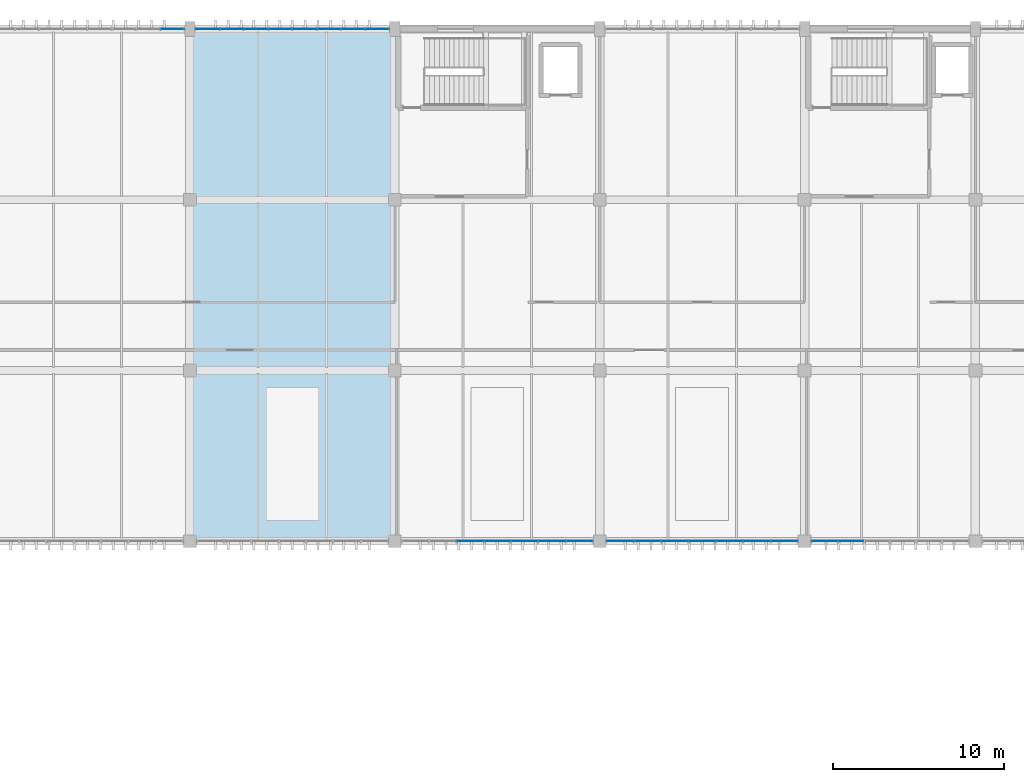
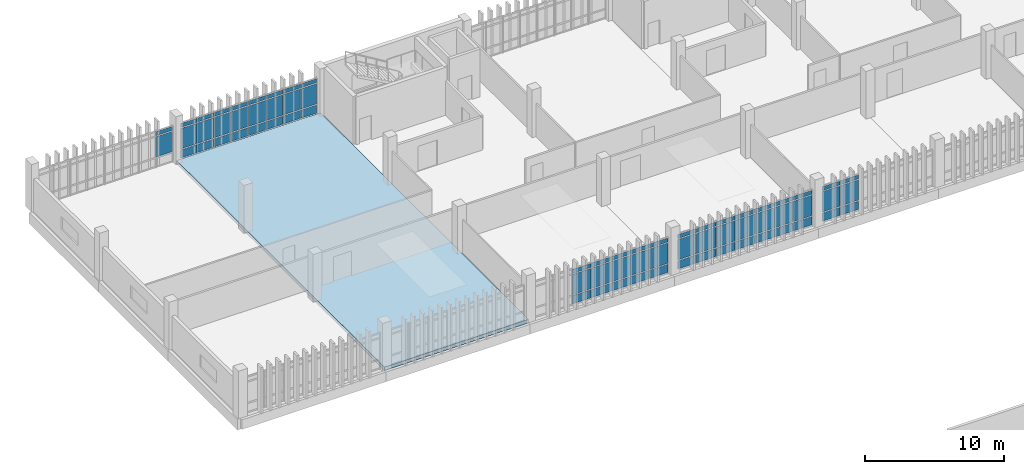
# One storey, part 94 of 111: 68 plates, 1 slab, 5 elements without a shape of their own.
"""IFC4 building model written with IfcOpenShell, lengths in metres."""

from ifc_helpers import new_model, si_unit, direction, frame, origin, origin_2d, place, context, subcontext, project, spatial, polyline, rectangle, outline, extrude, material, layer, layer_set, type_object, element, aggregate, save


model = new_model("IFC4")

# Units and contexts
model_context = context("Model", 3, precision=1e-05, world=origin(), true_north=direction((0.0, 1.0)))
body_context = subcontext(model_context, "Body", "Model", "MODEL_VIEW")
ifc_project = project(units=[si_unit("LENGTHUNIT", "METRE"), si_unit("AREAUNIT", "SQUARE_METRE"), si_unit("VOLUMEUNIT", "CUBIC_METRE"), si_unit("PLANEANGLEUNIT", "RADIAN"), si_unit("MASSUNIT", "GRAM", prefix="KILO")], contexts=[model_context])

# Site, building, storey
site_placement = place(None, origin())
site = spatial("IfcSite", under=ifc_project, at=site_placement, CompositionType="ELEMENT")
building_placement = place(site_placement, origin())
building = spatial("IfcBuilding", under=site, at=building_placement, Name="Mersad Railyard Sports Hall", CompositionType="ELEMENT")
storey_placement = place(building_placement, frame((0.0, 0.0, 9.0)))
storey = spatial("IfcBuildingStorey", under=building, at=storey_placement, Name="L02", CompositionType="ELEMENT", Elevation=9.0)

# Curtain wall, plates
ifc_material_1 = material(Name="Aluminium 6063-T6", Category="aluminium")
ifc_layer_1 = layer(ifc_material_1, 0.159912109375)
ifc_layer_set_1 = layer_set([ifc_layer_1], Name="Aluminium 6063-T6")
curtain_wall_type_1 = type_object("IfcCurtainWallType", Name="ARC-CW-CW52", PredefinedType="USERDEFINED", material=ifc_layer_set_1)
curtain_wall_1_placement = place(storey_placement, origin())
curtain_wall_1 = element("IfcCurtainWall", 1, at=curtain_wall_1_placement, inside=storey, type_object=curtain_wall_type_1, Name="Curtain wall CW52-0138", ObjectType="CURTAIN WALL", PredefinedType="USERDEFINED")
ifc_material_2 = material(Name="Solar-control glass", Category="glass")
ifc_layer_2 = layer(ifc_material_2, 0.028076171875)
ifc_layer_set_2 = layer_set([ifc_layer_2], Name="Solar-control glass")
plate_type = type_object("IfcPlateType", Name="ARC-CW-PNL01", PredefinedType="CURTAIN_PANEL", material=ifc_layer_set_2)
plate_1_placement = place(storey_placement, frame((53.969970703125, 115.0, 0.89501953125), z_axis=(0.0, 0.0, 1.0), x_axis=(1.0, 0.0, 0.0)))
plate_1 = element("IfcPlate", 2, at=plate_1_placement, type_object=plate_type, Name="CW52 Glazed panel 8-2", PredefinedType="CURTAIN_PANEL", context=body_context, shape_type="SweptSolid", body=[
    extrude(rectangle(XDim=1.3759765625, YDim=0.028076171875, at=origin_2d()), origin(), (0.0, 0.0, 1.0), 1.7900390625),
])
plate_2_placement = place(storey_placement, frame((53.969970703125, 115.0, 2.77490234375), z_axis=(0.0, 0.0, 1.0), x_axis=(1.0, 0.0, 0.0)))
plate_2 = element("IfcPlate", 3, at=plate_2_placement, type_object=plate_type, Name="CW52 Glazed panel 8-3", PredefinedType="CURTAIN_PANEL", context=body_context, shape_type="SweptSolid", body=[
    extrude(rectangle(XDim=1.3759765625, YDim=0.028076171875, at=origin_2d()), origin(), (0.0, 0.0, 1.0), 0.35009765625),
])
aggregate(curtain_wall_1, [plate_1, plate_2])

curtain_wall_2_placement = place(storey_placement, origin())
curtain_wall_2 = element("IfcCurtainWall", 4, at=curtain_wall_2_placement, inside=storey, type_object=curtain_wall_type_1, Name="Curtain wall CW52-0139", ObjectType="CURTAIN WALL", PredefinedType="USERDEFINED")
plate_3_placement = place(storey_placement, frame((56.030029296875, 115.0, 0.0849609375), z_axis=(0.0, 0.0, 1.0), x_axis=(1.0, 0.0, 0.0)))
plate_3 = element("IfcPlate", 5, at=plate_3_placement, type_object=plate_type, Name="CW52 Glazed panel 1-1", PredefinedType="CURTAIN_PANEL", context=body_context, shape_type="SweptSolid", body=[
    extrude(rectangle(XDim=1.3759765625, YDim=0.028076171875, at=origin_2d()), origin(), (0.0, 0.0, 1.0), 0.719970703125),
])
plate_4_placement = place(storey_placement, frame((56.030029296875, 115.0, 0.89501953125), z_axis=(0.0, 0.0, 1.0), x_axis=(1.0, 0.0, 0.0)))
plate_4 = element("IfcPlate", 6, at=plate_4_placement, type_object=plate_type, Name="CW52 Glazed panel 1-2", PredefinedType="CURTAIN_PANEL", context=body_context, shape_type="SweptSolid", body=[
    extrude(rectangle(XDim=1.3759765625, YDim=0.028076171875, at=origin_2d()), origin(), (0.0, 0.0, 1.0), 1.7900390625),
])
plate_5_placement = place(storey_placement, frame((56.030029296875, 115.0, 2.77490234375), z_axis=(0.0, 0.0, 1.0), x_axis=(1.0, 0.0, 0.0)))
plate_5 = element("IfcPlate", 7, at=plate_5_placement, type_object=plate_type, Name="CW52 Glazed panel 1-3", PredefinedType="CURTAIN_PANEL", context=body_context, shape_type="SweptSolid", body=[
    extrude(rectangle(XDim=1.3759765625, YDim=0.028076171875, at=origin_2d()), origin(), (0.0, 0.0, 1.0), 0.35009765625),
])
plate_6_placement = place(storey_placement, frame((57.449951171875, 115.0, 0.0849609375), z_axis=(0.0, 0.0, 1.0), x_axis=(1.0, 0.0, 0.0)))
plate_6 = element("IfcPlate", 8, at=plate_6_placement, type_object=plate_type, Name="CW52 Glazed panel 2-1", PredefinedType="CURTAIN_PANEL", context=body_context, shape_type="SweptSolid", body=[
    extrude(rectangle(XDim=1.3759765625, YDim=0.028076171875, at=origin_2d()), origin(), (0.0, 0.0, 1.0), 0.719970703125),
])
plate_7_placement = place(storey_placement, frame((57.449951171875, 115.0, 0.89501953125), z_axis=(0.0, 0.0, 1.0), x_axis=(1.0, 0.0, 0.0)))
plate_7 = element("IfcPlate", 9, at=plate_7_placement, type_object=plate_type, Name="CW52 Glazed panel 2-2", PredefinedType="CURTAIN_PANEL", context=body_context, shape_type="SweptSolid", body=[
    extrude(rectangle(XDim=1.3759765625, YDim=0.028076171875, at=origin_2d()), origin(), (0.0, 0.0, 1.0), 1.7900390625),
])
plate_8_placement = place(storey_placement, frame((57.449951171875, 115.0, 2.77490234375), z_axis=(0.0, 0.0, 1.0), x_axis=(1.0, 0.0, 0.0)))
plate_8 = element("IfcPlate", 10, at=plate_8_placement, type_object=plate_type, Name="CW52 Glazed panel 2-3", PredefinedType="CURTAIN_PANEL", context=body_context, shape_type="SweptSolid", body=[
    extrude(rectangle(XDim=1.3759765625, YDim=0.028076171875, at=origin_2d()), origin(), (0.0, 0.0, 1.0), 0.35009765625),
])
plate_9_placement = place(storey_placement, frame((58.8701171875, 115.0, 0.0849609375), z_axis=(0.0, 0.0, 1.0), x_axis=(1.0, 0.0, 0.0)))
plate_9 = element("IfcPlate", 11, at=plate_9_placement, type_object=plate_type, Name="CW52 Glazed panel 3-1", PredefinedType="CURTAIN_PANEL", context=body_context, shape_type="SweptSolid", body=[
    extrude(rectangle(XDim=1.3759765625, YDim=0.028076171875, at=origin_2d()), origin(), (0.0, 0.0, 1.0), 0.719970703125),
])
plate_10_placement = place(storey_placement, frame((58.8701171875, 115.0, 0.89501953125), z_axis=(0.0, 0.0, 1.0), x_axis=(1.0, 0.0, 0.0)))
plate_10 = element("IfcPlate", 12, at=plate_10_placement, type_object=plate_type, Name="CW52 Glazed panel 3-2", PredefinedType="CURTAIN_PANEL", context=body_context, shape_type="SweptSolid", body=[
    extrude(rectangle(XDim=1.3759765625, YDim=0.028076171875, at=origin_2d()), origin(), (0.0, 0.0, 1.0), 1.7900390625),
])
plate_11_placement = place(storey_placement, frame((58.8701171875, 115.0, 2.77490234375), z_axis=(0.0, 0.0, 1.0), x_axis=(1.0, 0.0, 0.0)))
plate_11 = element("IfcPlate", 13, at=plate_11_placement, type_object=plate_type, Name="CW52 Glazed panel 3-3", PredefinedType="CURTAIN_PANEL", context=body_context, shape_type="SweptSolid", body=[
    extrude(rectangle(XDim=1.3759765625, YDim=0.028076171875, at=origin_2d()), origin(), (0.0, 0.0, 1.0), 0.35009765625),
])
plate_12_placement = place(storey_placement, frame((60.2900390625, 115.0, 0.0849609375), z_axis=(0.0, 0.0, 1.0), x_axis=(1.0, 0.0, 0.0)))
plate_12 = element("IfcPlate", 14, at=plate_12_placement, type_object=plate_type, Name="CW52 Glazed panel 4-1", PredefinedType="CURTAIN_PANEL", context=body_context, shape_type="SweptSolid", body=[
    extrude(rectangle(XDim=1.3759765625, YDim=0.028076171875, at=origin_2d()), origin(), (0.0, 0.0, 1.0), 0.719970703125),
])
plate_13_placement = place(storey_placement, frame((60.2900390625, 115.0, 0.89501953125), z_axis=(0.0, 0.0, 1.0), x_axis=(1.0, 0.0, 0.0)))
plate_13 = element("IfcPlate", 15, at=plate_13_placement, type_object=plate_type, Name="CW52 Glazed panel 4-2", PredefinedType="CURTAIN_PANEL", context=body_context, shape_type="SweptSolid", body=[
    extrude(rectangle(XDim=1.3759765625, YDim=0.028076171875, at=origin_2d()), origin(), (0.0, 0.0, 1.0), 1.7900390625),
])
plate_14_placement = place(storey_placement, frame((60.2900390625, 115.0, 2.77490234375), z_axis=(0.0, 0.0, 1.0), x_axis=(1.0, 0.0, 0.0)))
plate_14 = element("IfcPlate", 16, at=plate_14_placement, type_object=plate_type, Name="CW52 Glazed panel 4-3", PredefinedType="CURTAIN_PANEL", context=body_context, shape_type="SweptSolid", body=[
    extrude(rectangle(XDim=1.3759765625, YDim=0.028076171875, at=origin_2d()), origin(), (0.0, 0.0, 1.0), 0.35009765625),
])
plate_15_placement = place(storey_placement, frame((61.7099609375, 115.0, 0.0849609375), z_axis=(0.0, 0.0, 1.0), x_axis=(1.0, 0.0, 0.0)))
plate_15 = element("IfcPlate", 17, at=plate_15_placement, type_object=plate_type, Name="CW52 Glazed panel 5-1", PredefinedType="CURTAIN_PANEL", context=body_context, shape_type="SweptSolid", body=[
    extrude(rectangle(XDim=1.3759765625, YDim=0.028076171875, at=origin_2d()), origin(), (0.0, 0.0, 1.0), 0.719970703125),
])
plate_16_placement = place(storey_placement, frame((61.7099609375, 115.0, 0.89501953125), z_axis=(0.0, 0.0, 1.0), x_axis=(1.0, 0.0, 0.0)))
plate_16 = element("IfcPlate", 18, at=plate_16_placement, type_object=plate_type, Name="CW52 Glazed panel 5-2", PredefinedType="CURTAIN_PANEL", context=body_context, shape_type="SweptSolid", body=[
    extrude(rectangle(XDim=1.3759765625, YDim=0.028076171875, at=origin_2d()), origin(), (0.0, 0.0, 1.0), 1.7900390625),
])
plate_17_placement = place(storey_placement, frame((61.7099609375, 115.0, 2.77490234375), z_axis=(0.0, 0.0, 1.0), x_axis=(1.0, 0.0, 0.0)))
plate_17 = element("IfcPlate", 19, at=plate_17_placement, type_object=plate_type, Name="CW52 Glazed panel 5-3", PredefinedType="CURTAIN_PANEL", context=body_context, shape_type="SweptSolid", body=[
    extrude(rectangle(XDim=1.3759765625, YDim=0.028076171875, at=origin_2d()), origin(), (0.0, 0.0, 1.0), 0.35009765625),
])
plate_18_placement = place(storey_placement, frame((63.1298828125, 115.0, 0.0849609375), z_axis=(0.0, 0.0, 1.0), x_axis=(1.0, 0.0, 0.0)))
plate_18 = element("IfcPlate", 20, at=plate_18_placement, type_object=plate_type, Name="CW52 Glazed panel 6-1", PredefinedType="CURTAIN_PANEL", context=body_context, shape_type="SweptSolid", body=[
    extrude(rectangle(XDim=1.3759765625, YDim=0.028076171875, at=origin_2d()), origin(), (0.0, 0.0, 1.0), 0.719970703125),
])
plate_19_placement = place(storey_placement, frame((63.1298828125, 115.0, 0.89501953125), z_axis=(0.0, 0.0, 1.0), x_axis=(1.0, 0.0, 0.0)))
plate_19 = element("IfcPlate", 21, at=plate_19_placement, type_object=plate_type, Name="CW52 Glazed panel 6-2", PredefinedType="CURTAIN_PANEL", context=body_context, shape_type="SweptSolid", body=[
    extrude(rectangle(XDim=1.3759765625, YDim=0.028076171875, at=origin_2d()), origin(), (0.0, 0.0, 1.0), 1.7900390625),
])
plate_20_placement = place(storey_placement, frame((63.1298828125, 115.0, 2.77490234375), z_axis=(0.0, 0.0, 1.0), x_axis=(1.0, 0.0, 0.0)))
plate_20 = element("IfcPlate", 22, at=plate_20_placement, type_object=plate_type, Name="CW52 Glazed panel 6-3", PredefinedType="CURTAIN_PANEL", context=body_context, shape_type="SweptSolid", body=[
    extrude(rectangle(XDim=1.3759765625, YDim=0.028076171875, at=origin_2d()), origin(), (0.0, 0.0, 1.0), 0.35009765625),
])
plate_21_placement = place(storey_placement, frame((64.550048828125, 115.0, 0.0849609375), z_axis=(0.0, 0.0, 1.0), x_axis=(1.0, 0.0, 0.0)))
plate_21 = element("IfcPlate", 23, at=plate_21_placement, type_object=plate_type, Name="CW52 Glazed panel 7-1", PredefinedType="CURTAIN_PANEL", context=body_context, shape_type="SweptSolid", body=[
    extrude(rectangle(XDim=1.3759765625, YDim=0.028076171875, at=origin_2d()), origin(), (0.0, 0.0, 1.0), 0.719970703125),
])
plate_22_placement = place(storey_placement, frame((64.550048828125, 115.0, 0.89501953125), z_axis=(0.0, 0.0, 1.0), x_axis=(1.0, 0.0, 0.0)))
plate_22 = element("IfcPlate", 24, at=plate_22_placement, type_object=plate_type, Name="CW52 Glazed panel 7-2", PredefinedType="CURTAIN_PANEL", context=body_context, shape_type="SweptSolid", body=[
    extrude(rectangle(XDim=1.3759765625, YDim=0.028076171875, at=origin_2d()), origin(), (0.0, 0.0, 1.0), 1.7900390625),
])
plate_23_placement = place(storey_placement, frame((64.550048828125, 115.0, 2.77490234375), z_axis=(0.0, 0.0, 1.0), x_axis=(1.0, 0.0, 0.0)))
plate_23 = element("IfcPlate", 25, at=plate_23_placement, type_object=plate_type, Name="CW52 Glazed panel 7-3", PredefinedType="CURTAIN_PANEL", context=body_context, shape_type="SweptSolid", body=[
    extrude(rectangle(XDim=1.3759765625, YDim=0.028076171875, at=origin_2d()), origin(), (0.0, 0.0, 1.0), 0.35009765625),
])
plate_24_placement = place(storey_placement, frame((65.969970703125, 115.0, 0.0849609375), z_axis=(0.0, 0.0, 1.0), x_axis=(1.0, 0.0, 0.0)))
plate_24 = element("IfcPlate", 26, at=plate_24_placement, type_object=plate_type, Name="CW52 Glazed panel 8-1", PredefinedType="CURTAIN_PANEL", context=body_context, shape_type="SweptSolid", body=[
    extrude(rectangle(XDim=1.3759765625, YDim=0.028076171875, at=origin_2d()), origin(), (0.0, 0.0, 1.0), 0.719970703125),
])
plate_25_placement = place(storey_placement, frame((65.969970703125, 115.0, 0.89501953125), z_axis=(0.0, 0.0, 1.0), x_axis=(1.0, 0.0, 0.0)))
plate_25 = element("IfcPlate", 27, at=plate_25_placement, type_object=plate_type, Name="CW52 Glazed panel 8-2", PredefinedType="CURTAIN_PANEL", context=body_context, shape_type="SweptSolid", body=[
    extrude(rectangle(XDim=1.3759765625, YDim=0.028076171875, at=origin_2d()), origin(), (0.0, 0.0, 1.0), 1.7900390625),
])
plate_26_placement = place(storey_placement, frame((65.969970703125, 115.0, 2.77490234375), z_axis=(0.0, 0.0, 1.0), x_axis=(1.0, 0.0, 0.0)))
plate_26 = element("IfcPlate", 28, at=plate_26_placement, type_object=plate_type, Name="CW52 Glazed panel 8-3", PredefinedType="CURTAIN_PANEL", context=body_context, shape_type="SweptSolid", body=[
    extrude(rectangle(XDim=1.3759765625, YDim=0.028076171875, at=origin_2d()), origin(), (0.0, 0.0, 1.0), 0.35009765625),
])
aggregate(curtain_wall_2, [plate_3, plate_4, plate_5, plate_6, plate_7, plate_8, plate_9, plate_10, plate_11, plate_12, plate_13, plate_14, plate_15, plate_16, plate_17, plate_18, plate_19, plate_20, plate_21, plate_22, plate_23, plate_24, plate_25, plate_26])

ifc_layer_3 = layer(ifc_material_1, 0.159912109375)
ifc_layer_set_3 = layer_set([ifc_layer_3], Name="Aluminium 6063-T6")
curtain_wall_type_2 = type_object("IfcCurtainWallType", Name="ARC-CW-CW54", PredefinedType="USERDEFINED", material=ifc_layer_set_3)
curtain_wall_3_placement = place(storey_placement, origin())
curtain_wall_3 = element("IfcCurtainWall", 29, at=curtain_wall_3_placement, inside=storey, type_object=curtain_wall_type_2, Name="Curtain wall CW54-0145", ObjectType="CURTAIN WALL", PredefinedType="USERDEFINED")
plate_27_placement = place(storey_placement, frame((77.80419921875, 85.0, 0.0849609375), z_axis=(0.0, 0.0, 1.0), x_axis=(-1.0, 0.0, 0.0)))
plate_27 = element("IfcPlate", 30, at=plate_27_placement, type_object=plate_type, Name="CW54 Glazed panel 1-1", PredefinedType="CURTAIN_PANEL", context=body_context, shape_type="SweptSolid", body=[
    extrude(rectangle(XDim=1.557373046875, YDim=0.028076171875, at=origin_2d()), origin(), (0.0, 0.0, 1.0), 0.719970703125),
])
plate_28_placement = place(storey_placement, frame((77.80419921875, 85.0, 0.89501953125), z_axis=(0.0, 0.0, 1.0), x_axis=(-1.0, 0.0, 0.0)))
plate_28 = element("IfcPlate", 31, at=plate_28_placement, type_object=plate_type, Name="CW54 Glazed panel 1-2", PredefinedType="CURTAIN_PANEL", context=body_context, shape_type="SweptSolid", body=[
    extrude(rectangle(XDim=1.557373046875, YDim=0.028076171875, at=origin_2d()), origin(), (0.0, 0.0, 1.0), 1.7900390625),
])
plate_29_placement = place(storey_placement, frame((77.80419921875, 85.0, 2.77490234375), z_axis=(0.0, 0.0, 1.0), x_axis=(-1.0, 0.0, 0.0)))
plate_29 = element("IfcPlate", 32, at=plate_29_placement, type_object=plate_type, Name="CW54 Glazed panel 1-3", PredefinedType="CURTAIN_PANEL", context=body_context, shape_type="SweptSolid", body=[
    extrude(rectangle(XDim=1.557373046875, YDim=0.028076171875, at=origin_2d()), origin(), (0.0, 0.0, 1.0), 0.35009765625),
])
plate_30_placement = place(storey_placement, frame((76.202880859375, 85.0, 0.0849609375), z_axis=(0.0, 0.0, 1.0), x_axis=(-1.0, 0.0, 0.0)))
plate_30 = element("IfcPlate", 33, at=plate_30_placement, type_object=plate_type, Name="CW54 Glazed panel 2-1", PredefinedType="CURTAIN_PANEL", context=body_context, shape_type="SweptSolid", body=[
    extrude(rectangle(XDim=1.557373046875, YDim=0.028076171875, at=origin_2d()), origin(), (0.0, 0.0, 1.0), 0.719970703125),
])
plate_31_placement = place(storey_placement, frame((76.202880859375, 85.0, 0.89501953125), z_axis=(0.0, 0.0, 1.0), x_axis=(-1.0, 0.0, 0.0)))
plate_31 = element("IfcPlate", 34, at=plate_31_placement, type_object=plate_type, Name="CW54 Glazed panel 2-2", PredefinedType="CURTAIN_PANEL", context=body_context, shape_type="SweptSolid", body=[
    extrude(rectangle(XDim=1.557373046875, YDim=0.028076171875, at=origin_2d()), origin(), (0.0, 0.0, 1.0), 1.7900390625),
])
plate_32_placement = place(storey_placement, frame((76.202880859375, 85.0, 2.77490234375), z_axis=(0.0, 0.0, 1.0), x_axis=(-1.0, 0.0, 0.0)))
plate_32 = element("IfcPlate", 35, at=plate_32_placement, type_object=plate_type, Name="CW54 Glazed panel 2-3", PredefinedType="CURTAIN_PANEL", context=body_context, shape_type="SweptSolid", body=[
    extrude(rectangle(XDim=1.557373046875, YDim=0.028076171875, at=origin_2d()), origin(), (0.0, 0.0, 1.0), 0.35009765625),
])
plate_33_placement = place(storey_placement, frame((74.601318359375, 85.0, 0.0849609375), z_axis=(0.0, 0.0, 1.0), x_axis=(-1.0, 0.0, 0.0)))
plate_33 = element("IfcPlate", 36, at=plate_33_placement, type_object=plate_type, Name="CW54 Glazed panel 3-1", PredefinedType="CURTAIN_PANEL", context=body_context, shape_type="SweptSolid", body=[
    extrude(rectangle(XDim=1.557373046875, YDim=0.028076171875, at=origin_2d()), origin(), (0.0, 0.0, 1.0), 0.719970703125),
])
plate_34_placement = place(storey_placement, frame((74.601318359375, 85.0, 0.89501953125), z_axis=(0.0, 0.0, 1.0), x_axis=(-1.0, 0.0, 0.0)))
plate_34 = element("IfcPlate", 37, at=plate_34_placement, type_object=plate_type, Name="CW54 Glazed panel 3-2", PredefinedType="CURTAIN_PANEL", context=body_context, shape_type="SweptSolid", body=[
    extrude(rectangle(XDim=1.557373046875, YDim=0.028076171875, at=origin_2d()), origin(), (0.0, 0.0, 1.0), 1.7900390625),
])
plate_35_placement = place(storey_placement, frame((74.601318359375, 85.0, 2.77490234375), z_axis=(0.0, 0.0, 1.0), x_axis=(-1.0, 0.0, 0.0)))
plate_35 = element("IfcPlate", 38, at=plate_35_placement, type_object=plate_type, Name="CW54 Glazed panel 3-3", PredefinedType="CURTAIN_PANEL", context=body_context, shape_type="SweptSolid", body=[
    extrude(rectangle(XDim=1.557373046875, YDim=0.028076171875, at=origin_2d()), origin(), (0.0, 0.0, 1.0), 0.35009765625),
])
plate_36_placement = place(storey_placement, frame((73.0, 85.0, 0.0849609375), z_axis=(0.0, 0.0, 1.0), x_axis=(-1.0, 0.0, 0.0)))
plate_36 = element("IfcPlate", 39, at=plate_36_placement, type_object=plate_type, Name="CW54 Glazed panel 4-1", PredefinedType="CURTAIN_PANEL", context=body_context, shape_type="SweptSolid", body=[
    extrude(rectangle(XDim=1.557373046875, YDim=0.028076171875, at=origin_2d()), origin(), (0.0, 0.0, 1.0), 0.719970703125),
])
plate_37_placement = place(storey_placement, frame((73.0, 85.0, 0.89501953125), z_axis=(0.0, 0.0, 1.0), x_axis=(-1.0, 0.0, 0.0)))
plate_37 = element("IfcPlate", 40, at=plate_37_placement, type_object=plate_type, Name="CW54 Glazed panel 4-2", PredefinedType="CURTAIN_PANEL", context=body_context, shape_type="SweptSolid", body=[
    extrude(rectangle(XDim=1.557373046875, YDim=0.028076171875, at=origin_2d()), origin(), (0.0, 0.0, 1.0), 1.7900390625),
])
plate_38_placement = place(storey_placement, frame((73.0, 85.0, 2.77490234375), z_axis=(0.0, 0.0, 1.0), x_axis=(-1.0, 0.0, 0.0)))
plate_38 = element("IfcPlate", 41, at=plate_38_placement, type_object=plate_type, Name="CW54 Glazed panel 4-3", PredefinedType="CURTAIN_PANEL", context=body_context, shape_type="SweptSolid", body=[
    extrude(rectangle(XDim=1.557373046875, YDim=0.028076171875, at=origin_2d()), origin(), (0.0, 0.0, 1.0), 0.35009765625),
])
plate_39_placement = place(storey_placement, frame((71.398681640625, 85.0, 0.0849609375), z_axis=(0.0, 0.0, 1.0), x_axis=(-1.0, 0.0, 0.0)))
plate_39 = element("IfcPlate", 42, at=plate_39_placement, type_object=plate_type, Name="CW54 Glazed panel 5-1", PredefinedType="CURTAIN_PANEL", context=body_context, shape_type="SweptSolid", body=[
    extrude(rectangle(XDim=1.557373046875, YDim=0.028076171875, at=origin_2d()), origin(), (0.0, 0.0, 1.0), 0.719970703125),
])
plate_40_placement = place(storey_placement, frame((71.398681640625, 85.0, 0.89501953125), z_axis=(0.0, 0.0, 1.0), x_axis=(-1.0, 0.0, 0.0)))
plate_40 = element("IfcPlate", 43, at=plate_40_placement, type_object=plate_type, Name="CW54 Glazed panel 5-2", PredefinedType="CURTAIN_PANEL", context=body_context, shape_type="SweptSolid", body=[
    extrude(rectangle(XDim=1.557373046875, YDim=0.028076171875, at=origin_2d()), origin(), (0.0, 0.0, 1.0), 1.7900390625),
])
plate_41_placement = place(storey_placement, frame((71.398681640625, 85.0, 2.77490234375), z_axis=(0.0, 0.0, 1.0), x_axis=(-1.0, 0.0, 0.0)))
plate_41 = element("IfcPlate", 44, at=plate_41_placement, type_object=plate_type, Name="CW54 Glazed panel 5-3", PredefinedType="CURTAIN_PANEL", context=body_context, shape_type="SweptSolid", body=[
    extrude(rectangle(XDim=1.557373046875, YDim=0.028076171875, at=origin_2d()), origin(), (0.0, 0.0, 1.0), 0.35009765625),
])
aggregate(curtain_wall_3, [plate_27, plate_28, plate_29, plate_30, plate_31, plate_32, plate_33, plate_34, plate_35, plate_36, plate_37, plate_38, plate_39, plate_40, plate_41])

curtain_wall_4_placement = place(storey_placement, origin())
curtain_wall_4 = element("IfcCurtainWall", 45, at=curtain_wall_4_placement, inside=storey, type_object=curtain_wall_type_2, Name="Curtain wall CW54-0146", ObjectType="CURTAIN WALL", PredefinedType="USERDEFINED")
plate_42_placement = place(storey_placement, frame((89.80419921875, 85.0, 0.0849609375), z_axis=(0.0, 0.0, 1.0), x_axis=(-1.0, 0.0, 0.0)))
plate_42 = element("IfcPlate", 46, at=plate_42_placement, type_object=plate_type, Name="CW54 Glazed panel 1-1", PredefinedType="CURTAIN_PANEL", context=body_context, shape_type="SweptSolid", body=[
    extrude(rectangle(XDim=1.557373046875, YDim=0.028076171875, at=origin_2d()), origin(), (0.0, 0.0, 1.0), 0.719970703125),
])
plate_43_placement = place(storey_placement, frame((89.80419921875, 85.0, 0.89501953125), z_axis=(0.0, 0.0, 1.0), x_axis=(-1.0, 0.0, 0.0)))
plate_43 = element("IfcPlate", 47, at=plate_43_placement, type_object=plate_type, Name="CW54 Glazed panel 1-2", PredefinedType="CURTAIN_PANEL", context=body_context, shape_type="SweptSolid", body=[
    extrude(rectangle(XDim=1.557373046875, YDim=0.028076171875, at=origin_2d()), origin(), (0.0, 0.0, 1.0), 1.7900390625),
])
plate_44_placement = place(storey_placement, frame((89.80419921875, 85.0, 2.77490234375), z_axis=(0.0, 0.0, 1.0), x_axis=(-1.0, 0.0, 0.0)))
plate_44 = element("IfcPlate", 48, at=plate_44_placement, type_object=plate_type, Name="CW54 Glazed panel 1-3", PredefinedType="CURTAIN_PANEL", context=body_context, shape_type="SweptSolid", body=[
    extrude(rectangle(XDim=1.557373046875, YDim=0.028076171875, at=origin_2d()), origin(), (0.0, 0.0, 1.0), 0.35009765625),
])
plate_45_placement = place(storey_placement, frame((88.202880859375, 85.0, 0.0849609375), z_axis=(0.0, 0.0, 1.0), x_axis=(-1.0, 0.0, 0.0)))
plate_45 = element("IfcPlate", 49, at=plate_45_placement, type_object=plate_type, Name="CW54 Glazed panel 2-1", PredefinedType="CURTAIN_PANEL", context=body_context, shape_type="SweptSolid", body=[
    extrude(rectangle(XDim=1.557373046875, YDim=0.028076171875, at=origin_2d()), origin(), (0.0, 0.0, 1.0), 0.719970703125),
])
plate_46_placement = place(storey_placement, frame((88.202880859375, 85.0, 0.89501953125), z_axis=(0.0, 0.0, 1.0), x_axis=(-1.0, 0.0, 0.0)))
plate_46 = element("IfcPlate", 50, at=plate_46_placement, type_object=plate_type, Name="CW54 Glazed panel 2-2", PredefinedType="CURTAIN_PANEL", context=body_context, shape_type="SweptSolid", body=[
    extrude(rectangle(XDim=1.557373046875, YDim=0.028076171875, at=origin_2d()), origin(), (0.0, 0.0, 1.0), 1.7900390625),
])
plate_47_placement = place(storey_placement, frame((88.202880859375, 85.0, 2.77490234375), z_axis=(0.0, 0.0, 1.0), x_axis=(-1.0, 0.0, 0.0)))
plate_47 = element("IfcPlate", 51, at=plate_47_placement, type_object=plate_type, Name="CW54 Glazed panel 2-3", PredefinedType="CURTAIN_PANEL", context=body_context, shape_type="SweptSolid", body=[
    extrude(rectangle(XDim=1.557373046875, YDim=0.028076171875, at=origin_2d()), origin(), (0.0, 0.0, 1.0), 0.35009765625),
])
plate_48_placement = place(storey_placement, frame((86.601318359375, 85.0, 0.0849609375), z_axis=(0.0, 0.0, 1.0), x_axis=(-1.0, 0.0, 0.0)))
plate_48 = element("IfcPlate", 52, at=plate_48_placement, type_object=plate_type, Name="CW54 Glazed panel 3-1", PredefinedType="CURTAIN_PANEL", context=body_context, shape_type="SweptSolid", body=[
    extrude(rectangle(XDim=1.557373046875, YDim=0.028076171875, at=origin_2d()), origin(), (0.0, 0.0, 1.0), 0.719970703125),
])
plate_49_placement = place(storey_placement, frame((86.601318359375, 85.0, 0.89501953125), z_axis=(0.0, 0.0, 1.0), x_axis=(-1.0, 0.0, 0.0)))
plate_49 = element("IfcPlate", 53, at=plate_49_placement, type_object=plate_type, Name="CW54 Glazed panel 3-2", PredefinedType="CURTAIN_PANEL", context=body_context, shape_type="SweptSolid", body=[
    extrude(rectangle(XDim=1.557373046875, YDim=0.028076171875, at=origin_2d()), origin(), (0.0, 0.0, 1.0), 1.7900390625),
])
plate_50_placement = place(storey_placement, frame((86.601318359375, 85.0, 2.77490234375), z_axis=(0.0, 0.0, 1.0), x_axis=(-1.0, 0.0, 0.0)))
plate_50 = element("IfcPlate", 54, at=plate_50_placement, type_object=plate_type, Name="CW54 Glazed panel 3-3", PredefinedType="CURTAIN_PANEL", context=body_context, shape_type="SweptSolid", body=[
    extrude(rectangle(XDim=1.557373046875, YDim=0.028076171875, at=origin_2d()), origin(), (0.0, 0.0, 1.0), 0.35009765625),
])
plate_51_placement = place(storey_placement, frame((85.0, 85.0, 0.0849609375), z_axis=(0.0, 0.0, 1.0), x_axis=(-1.0, 0.0, 0.0)))
plate_51 = element("IfcPlate", 55, at=plate_51_placement, type_object=plate_type, Name="CW54 Glazed panel 4-1", PredefinedType="CURTAIN_PANEL", context=body_context, shape_type="SweptSolid", body=[
    extrude(rectangle(XDim=1.557373046875, YDim=0.028076171875, at=origin_2d()), origin(), (0.0, 0.0, 1.0), 0.719970703125),
])
plate_52_placement = place(storey_placement, frame((85.0, 85.0, 0.89501953125), z_axis=(0.0, 0.0, 1.0), x_axis=(-1.0, 0.0, 0.0)))
plate_52 = element("IfcPlate", 56, at=plate_52_placement, type_object=plate_type, Name="CW54 Glazed panel 4-2", PredefinedType="CURTAIN_PANEL", context=body_context, shape_type="SweptSolid", body=[
    extrude(rectangle(XDim=1.557373046875, YDim=0.028076171875, at=origin_2d()), origin(), (0.0, 0.0, 1.0), 1.7900390625),
])
plate_53_placement = place(storey_placement, frame((85.0, 85.0, 2.77490234375), z_axis=(0.0, 0.0, 1.0), x_axis=(-1.0, 0.0, 0.0)))
plate_53 = element("IfcPlate", 57, at=plate_53_placement, type_object=plate_type, Name="CW54 Glazed panel 4-3", PredefinedType="CURTAIN_PANEL", context=body_context, shape_type="SweptSolid", body=[
    extrude(rectangle(XDim=1.557373046875, YDim=0.028076171875, at=origin_2d()), origin(), (0.0, 0.0, 1.0), 0.35009765625),
])
plate_54_placement = place(storey_placement, frame((83.398681640625, 85.0, 0.0849609375), z_axis=(0.0, 0.0, 1.0), x_axis=(-1.0, 0.0, 0.0)))
plate_54 = element("IfcPlate", 58, at=plate_54_placement, type_object=plate_type, Name="CW54 Glazed panel 5-1", PredefinedType="CURTAIN_PANEL", context=body_context, shape_type="SweptSolid", body=[
    extrude(rectangle(XDim=1.557373046875, YDim=0.028076171875, at=origin_2d()), origin(), (0.0, 0.0, 1.0), 0.719970703125),
])
plate_55_placement = place(storey_placement, frame((83.398681640625, 85.0, 0.89501953125), z_axis=(0.0, 0.0, 1.0), x_axis=(-1.0, 0.0, 0.0)))
plate_55 = element("IfcPlate", 59, at=plate_55_placement, type_object=plate_type, Name="CW54 Glazed panel 5-2", PredefinedType="CURTAIN_PANEL", context=body_context, shape_type="SweptSolid", body=[
    extrude(rectangle(XDim=1.557373046875, YDim=0.028076171875, at=origin_2d()), origin(), (0.0, 0.0, 1.0), 1.7900390625),
])
plate_56_placement = place(storey_placement, frame((83.398681640625, 85.0, 2.77490234375), z_axis=(0.0, 0.0, 1.0), x_axis=(-1.0, 0.0, 0.0)))
plate_56 = element("IfcPlate", 60, at=plate_56_placement, type_object=plate_type, Name="CW54 Glazed panel 5-3", PredefinedType="CURTAIN_PANEL", context=body_context, shape_type="SweptSolid", body=[
    extrude(rectangle(XDim=1.557373046875, YDim=0.028076171875, at=origin_2d()), origin(), (0.0, 0.0, 1.0), 0.35009765625),
])
plate_57_placement = place(storey_placement, frame((81.797119140625, 85.0, 0.0849609375), z_axis=(0.0, 0.0, 1.0), x_axis=(-1.0, 0.0, 0.0)))
plate_57 = element("IfcPlate", 61, at=plate_57_placement, type_object=plate_type, Name="CW54 Glazed panel 6-1", PredefinedType="CURTAIN_PANEL", context=body_context, shape_type="SweptSolid", body=[
    extrude(rectangle(XDim=1.557373046875, YDim=0.028076171875, at=origin_2d()), origin(), (0.0, 0.0, 1.0), 0.719970703125),
])
plate_58_placement = place(storey_placement, frame((81.797119140625, 85.0, 0.89501953125), z_axis=(0.0, 0.0, 1.0), x_axis=(-1.0, 0.0, 0.0)))
plate_58 = element("IfcPlate", 62, at=plate_58_placement, type_object=plate_type, Name="CW54 Glazed panel 6-2", PredefinedType="CURTAIN_PANEL", context=body_context, shape_type="SweptSolid", body=[
    extrude(rectangle(XDim=1.557373046875, YDim=0.028076171875, at=origin_2d()), origin(), (0.0, 0.0, 1.0), 1.7900390625),
])
plate_59_placement = place(storey_placement, frame((81.797119140625, 85.0, 2.77490234375), z_axis=(0.0, 0.0, 1.0), x_axis=(-1.0, 0.0, 0.0)))
plate_59 = element("IfcPlate", 63, at=plate_59_placement, type_object=plate_type, Name="CW54 Glazed panel 6-3", PredefinedType="CURTAIN_PANEL", context=body_context, shape_type="SweptSolid", body=[
    extrude(rectangle(XDim=1.557373046875, YDim=0.028076171875, at=origin_2d()), origin(), (0.0, 0.0, 1.0), 0.35009765625),
])
plate_60_placement = place(storey_placement, frame((80.19580078125, 85.0, 0.0849609375), z_axis=(0.0, 0.0, 1.0), x_axis=(-1.0, 0.0, 0.0)))
plate_60 = element("IfcPlate", 64, at=plate_60_placement, type_object=plate_type, Name="CW54 Glazed panel 7-1", PredefinedType="CURTAIN_PANEL", context=body_context, shape_type="SweptSolid", body=[
    extrude(rectangle(XDim=1.557373046875, YDim=0.028076171875, at=origin_2d()), origin(), (0.0, 0.0, 1.0), 0.719970703125),
])
plate_61_placement = place(storey_placement, frame((80.19580078125, 85.0, 0.89501953125), z_axis=(0.0, 0.0, 1.0), x_axis=(-1.0, 0.0, 0.0)))
plate_61 = element("IfcPlate", 65, at=plate_61_placement, type_object=plate_type, Name="CW54 Glazed panel 7-2", PredefinedType="CURTAIN_PANEL", context=body_context, shape_type="SweptSolid", body=[
    extrude(rectangle(XDim=1.557373046875, YDim=0.028076171875, at=origin_2d()), origin(), (0.0, 0.0, 1.0), 1.7900390625),
])
plate_62_placement = place(storey_placement, frame((80.19580078125, 85.0, 2.77490234375), z_axis=(0.0, 0.0, 1.0), x_axis=(-1.0, 0.0, 0.0)))
plate_62 = element("IfcPlate", 66, at=plate_62_placement, type_object=plate_type, Name="CW54 Glazed panel 7-3", PredefinedType="CURTAIN_PANEL", context=body_context, shape_type="SweptSolid", body=[
    extrude(rectangle(XDim=1.557373046875, YDim=0.028076171875, at=origin_2d()), origin(), (0.0, 0.0, 1.0), 0.35009765625),
])
aggregate(curtain_wall_4, [plate_42, plate_43, plate_44, plate_45, plate_46, plate_47, plate_48, plate_49, plate_50, plate_51, plate_52, plate_53, plate_54, plate_55, plate_56, plate_57, plate_58, plate_59, plate_60, plate_61, plate_62])

ifc_layer_4 = layer(ifc_material_1, 0.159912109375)
ifc_layer_set_4 = layer_set([ifc_layer_4], Name="Aluminium 6063-T6")
curtain_wall_type_3 = type_object("IfcCurtainWallType", Name="ARC-CW-CW55", PredefinedType="USERDEFINED", material=ifc_layer_set_4)
curtain_wall_5_placement = place(storey_placement, origin())
curtain_wall_5 = element("IfcCurtainWall", 67, at=curtain_wall_5_placement, inside=storey, type_object=curtain_wall_type_3, Name="Curtain wall CW55-0147", ObjectType="CURTAIN WALL", PredefinedType="USERDEFINED")
plate_63_placement = place(storey_placement, frame((93.697509765625, 85.0, 0.0849609375), z_axis=(0.0, 0.0, 1.0), x_axis=(-1.0, 0.0, 0.0)))
plate_63 = element("IfcPlate", 68, at=plate_63_placement, type_object=plate_type, Name="CW55 Glazed panel 5-1", PredefinedType="CURTAIN_PANEL", context=body_context, shape_type="SweptSolid", body=[
    extrude(rectangle(XDim=1.490966796875, YDim=0.028076171875, at=origin_2d()), origin(), (0.0, 0.0, 1.0), 0.719970703125),
])
plate_64_placement = place(storey_placement, frame((93.697509765625, 85.0, 0.89501953125), z_axis=(0.0, 0.0, 1.0), x_axis=(-1.0, 0.0, 0.0)))
plate_64 = element("IfcPlate", 69, at=plate_64_placement, type_object=plate_type, Name="CW55 Glazed panel 5-2", PredefinedType="CURTAIN_PANEL", context=body_context, shape_type="SweptSolid", body=[
    extrude(rectangle(XDim=1.490966796875, YDim=0.028076171875, at=origin_2d()), origin(), (0.0, 0.0, 1.0), 1.7900390625),
])
plate_65_placement = place(storey_placement, frame((93.697509765625, 85.0, 2.77490234375), z_axis=(0.0, 0.0, 1.0), x_axis=(-1.0, 0.0, 0.0)))
plate_65 = element("IfcPlate", 70, at=plate_65_placement, type_object=plate_type, Name="CW55 Glazed panel 5-3", PredefinedType="CURTAIN_PANEL", context=body_context, shape_type="SweptSolid", body=[
    extrude(rectangle(XDim=1.490966796875, YDim=0.028076171875, at=origin_2d()), origin(), (0.0, 0.0, 1.0), 0.35009765625),
])
plate_66_placement = place(storey_placement, frame((92.16259765625, 85.0, 0.0849609375), z_axis=(0.0, 0.0, 1.0), x_axis=(-1.0, 0.0, 0.0)))
plate_66 = element("IfcPlate", 71, at=plate_66_placement, type_object=plate_type, Name="CW55 Glazed panel 6-1", PredefinedType="CURTAIN_PANEL", context=body_context, shape_type="SweptSolid", body=[
    extrude(rectangle(XDim=1.490966796875, YDim=0.028076171875, at=origin_2d()), origin(), (0.0, 0.0, 1.0), 0.719970703125),
])
plate_67_placement = place(storey_placement, frame((92.16259765625, 85.0, 0.89501953125), z_axis=(0.0, 0.0, 1.0), x_axis=(-1.0, 0.0, 0.0)))
plate_67 = element("IfcPlate", 72, at=plate_67_placement, type_object=plate_type, Name="CW55 Glazed panel 6-2", PredefinedType="CURTAIN_PANEL", context=body_context, shape_type="SweptSolid", body=[
    extrude(rectangle(XDim=1.490966796875, YDim=0.028076171875, at=origin_2d()), origin(), (0.0, 0.0, 1.0), 1.7900390625),
])
plate_68_placement = place(storey_placement, frame((92.16259765625, 85.0, 2.77490234375), z_axis=(0.0, 0.0, 1.0), x_axis=(-1.0, 0.0, 0.0)))
plate_68 = element("IfcPlate", 73, at=plate_68_placement, type_object=plate_type, Name="CW55 Glazed panel 6-3", PredefinedType="CURTAIN_PANEL", context=body_context, shape_type="SweptSolid", body=[
    extrude(rectangle(XDim=1.490966796875, YDim=0.028076171875, at=origin_2d()), origin(), (0.0, 0.0, 1.0), 0.35009765625),
])
aggregate(curtain_wall_5, [plate_63, plate_64, plate_65, plate_66, plate_67, plate_68])

# Slab
ifc_material_3 = material(Name="Concrete C40/50", Category="concrete")
ifc_layer_5 = layer(ifc_material_3, 0.300048828125)
ifc_layer_set_5 = layer_set([ifc_layer_5], Name="Concrete C40/50")
slab_type = type_object("IfcSlabType", Name="STR-SL-FL03", PredefinedType="FLOOR", material=ifc_layer_set_5)
slab_placement = place(storey_placement, frame((0.0, 0.0, -0.300048828125)))
element("IfcSlab", 74, at=slab_placement, inside=storey, type_object=slab_type, Name="Slab SL03-0086", PredefinedType="FLOOR", context=body_context, shape_type="SweptSolid", body=[
    extrude(outline(polyline([(55.0, 85.0), (67.0, 85.0), (67.0, 115.0), (55.0, 115.0), (55.0, 85.0)])), origin(), (0.0, 0.0, 1.0), 0.300048828125),
])

save(model, "model.ifc")
